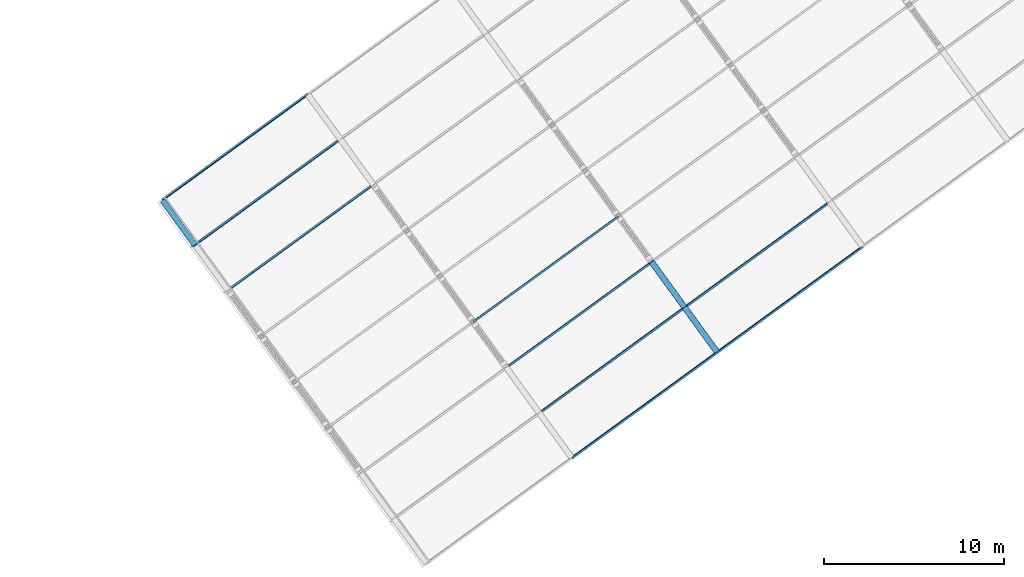
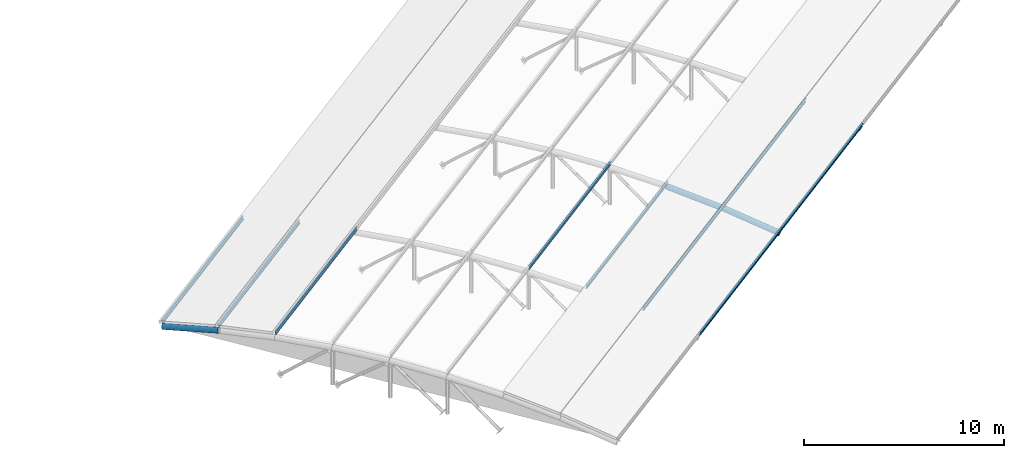
# One storey, part 13 of 41: 9 beams, 3 members.
"""IFC4 building model written with IfcOpenShell, lengths in metres."""

import ifcopenshell
import ifcopenshell.guid

model = None  # the IFC model being written
_history = None  # IfcOwnerHistory: only IFC2X3 demands one
_inside = {}  # id of a spatial element -> (the spatial element, [elements in it])
_under = {}  # id of a project, library or spatial element -> (it, [spatial elements below it])
_declared = {}  # id of a project -> (the project, [libraries it declares])
_typed = {}  # id of a type object -> (the type object, [elements of that type])
_made_of = {}  # id of a material, layer set ... -> (it, [elements and type objects made of it])


def new_model(schema):
    """Start an empty IFC model of exactly this schema.

    Asked for "IFC4X3", IfcOpenShell would pick the latest addendum, in which some entities
    have other attributes; the version numbers below select the first issue.
    IFC2X3 requires an IfcOwnerHistory on every rooted entity: one is made here for all.
    """
    global model, _history
    if schema == "IFC4X3":
        model = ifcopenshell.file(schema_version=(4, 3, 0, 0))
    else:
        model = ifcopenshell.file(schema=schema)
    _inside.clear()
    _under.clear()
    _declared.clear()
    _typed.clear()
    _made_of.clear()
    _history = None
    if model.schema == "IFC2X3":
        org = make("IfcOrganization", Name="unknown")
        user = make(
            "IfcPersonAndOrganization",
            ThePerson=make("IfcPerson", FamilyName="unknown"),
            TheOrganization=org,
        )
        app = make(
            "IfcApplication",
            ApplicationDeveloper=org,
            Version="unknown",
            ApplicationFullName="unknown",
            ApplicationIdentifier="unknown",
        )
        _history = make(
            "IfcOwnerHistory",
            OwningUser=user,
            OwningApplication=app,
            ChangeAction="ADDED",
            CreationDate=0,
        )
    return model


def make(cls, **values):
    """One entity of the class cls with the attributes given. An attribute that is None is left unset."""
    return model.create_entity(
        cls, **{name: value for name, value in values.items() if value is not None}
    )


def rooted(cls, **values):
    """An entity with a GlobalId (a new one), such as an element, a storey or a relation."""
    return make(cls, GlobalId=ifcopenshell.guid.new(), OwnerHistory=_history, **values)


def si_unit(unit_type, name, prefix=None):
    """IfcSIUnit, for example si_unit("LENGTHUNIT", "METRE", prefix="MILLI")."""
    return make("IfcSIUnit", UnitType=unit_type, Prefix=prefix, Name=name)


def assignment(units):
    """IfcUnitAssignment: the units of a project."""
    return None if units is None else make("IfcUnitAssignment", Units=units)


def point(xyz):
    """IfcCartesianPoint."""
    return None if xyz is None else make("IfcCartesianPoint", Coordinates=xyz)


def direction(xyz):
    """IfcDirection."""
    return None if xyz is None else make("IfcDirection", DirectionRatios=xyz)


def frame(location, z_axis=None, x_axis=None):
    """IfcAxis2Placement3D, a coordinate frame: its origin and axes. An axis left out is left unset."""
    return make(
        "IfcAxis2Placement3D",
        Location=point(location),
        Axis=direction(z_axis),
        RefDirection=direction(x_axis),
    )


def frame_2d(location, x_axis=None):
    """IfcAxis2Placement2D, a coordinate frame in the plane: its origin and x axis."""
    return make(
        "IfcAxis2Placement2D", Location=point(location), RefDirection=direction(x_axis)
    )


def origin():
    """The frame at (0, 0, 0) with its axes left unset."""
    return frame((0.0, 0.0, 0.0))


def origin_2d():
    """The frame at (0, 0) in the plane with its x axis left unset."""
    return frame_2d((0.0, 0.0))


def place(relative_to, where):
    """IfcLocalPlacement: puts the frame where relative to a parent placement (None: the world)."""
    return make(
        "IfcLocalPlacement", PlacementRelTo=relative_to, RelativePlacement=where
    )


def context(
    kind, dimensions, precision=None, world=None, true_north=None, identifier=None
):
    """IfcGeometricRepresentationContext, for example the 3D "Model" context."""
    return make(
        "IfcGeometricRepresentationContext",
        ContextIdentifier=identifier,
        ContextType=kind,
        CoordinateSpaceDimension=dimensions,
        Precision=precision,
        WorldCoordinateSystem=world,
        TrueNorth=true_north,
    )


def subcontext(parent, identifier, kind, view, scale=None):
    """IfcGeometricRepresentationSubContext, for example "Body" below "Model"."""
    return make(
        "IfcGeometricRepresentationSubContext",
        ContextIdentifier=identifier,
        ContextType=kind,
        ParentContext=parent,
        TargetScale=scale,
        TargetView=view,
    )


def project(units=None, contexts=None):
    """IfcProject with its units and contexts."""
    return rooted(
        "IfcProject",
        Name="project",
        RepresentationContexts=contexts,
        UnitsInContext=assignment(units),
    )


def spatial(cls, under=None, at=None, **own):
    """A site, building, storey or space (cls), placed at a placement, below another one or the project."""
    s = rooted(cls, ObjectPlacement=at, **own)
    if under is not None:
        _under.setdefault(under.id(), (under, []))[1].append(s)
    return s


def profile(cls, at=None, kind="AREA", **sizes):
    """A parametric profile (cls). Its sizes go by their IFC names, for example OverallWidth=200.0."""
    return make(cls, ProfileType=kind, Position=at, **sizes)


def hollow_circle(**sizes):
    """IfcCircleHollowProfileDef."""
    return profile("IfcCircleHollowProfileDef", **sizes)


def i_section(**sizes):
    """IfcIShapeProfileDef."""
    return profile("IfcIShapeProfileDef", **sizes)


def extrude(swept, where, along, depth):
    """IfcExtrudedAreaSolid: the profile swept, set in the frame where, extruded along a direction by depth."""
    return make(
        "IfcExtrudedAreaSolid",
        SweptArea=swept,
        Position=where,
        ExtrudedDirection=direction(along),
        Depth=depth,
    )


def shape(context_of_items, identifier, shape_type, items):
    """IfcShapeRepresentation: the items that make up one representation, for example the "Body"."""
    return make(
        "IfcShapeRepresentation",
        ContextOfItems=context_of_items,
        RepresentationIdentifier=identifier,
        RepresentationType=shape_type,
        Items=items,
    )


def material(Name=None, Category=None):
    """IfcMaterial."""
    return make("IfcMaterial", Name=Name, Category=Category)


def material_profile(
    of_material, cross_section, Name=None, Category=None, Priority=None
):
    """IfcMaterialProfile: a cross section and its material."""
    return make(
        "IfcMaterialProfile",
        Name=Name,
        Material=of_material,
        Profile=cross_section,
        Priority=Priority,
        Category=Category,
    )


def profile_set(profiles, Name=None, composite=None):
    """IfcMaterialProfileSet."""
    return make(
        "IfcMaterialProfileSet",
        Name=Name,
        MaterialProfiles=profiles,
        CompositeProfile=composite,
    )


def made_of(thing, what):
    """Note that an element or type object is made of a material, layer set ...; save() writes the relation."""
    if what is not None:
        _made_of.setdefault(what.id(), (what, []))[1].append(thing)
    return thing


def type_object(cls, material=None, **own):
    """A type object (cls), such as IfcWallType, which elements share."""
    return made_of(rooted(cls, **own), material)


def element(
    cls,
    number,
    at=None,
    inside=None,
    cuts=None,
    type_object=None,
    material=None,
    context=None,
    identifier="Body",
    shape_type=None,
    held_by="IfcProductDefinitionShape",
    body=None,
    shapes=None,
    **own,
):
    """One element of the class cls, such as IfcWall. Its Tag is "e" and its number.

    at: its placement. inside: the storey or other place that contains it. cuts: it is an
    opening in that element (IfcRelVoidsElement). A single representation is given by context,
    identifier, shape_type and body (its items); several are given by shapes. held_by: the class
    of the entity that holds the representations. save() writes the other relations.
    """
    e = rooted(cls, Tag="e%d" % number, ObjectPlacement=at, **own)
    if body is not None:
        shapes = [shape(context, identifier, shape_type, body)]
    if shapes is not None:
        e.Representation = make(held_by, Representations=shapes)
    if inside is not None:
        _inside.setdefault(inside.id(), (inside, []))[1].append(e)
    if cuts is not None:
        rooted(
            "IfcRelVoidsElement", RelatingBuildingElement=cuts, RelatedOpeningElement=e
        )
    if type_object is not None:
        _typed.setdefault(type_object.id(), (type_object, []))[1].append(e)
    return made_of(e, material)


def aggregate(whole, parts):
    """IfcRelAggregates: a whole, such as a stair, and the parts it consists of."""
    return rooted("IfcRelAggregates", RelatingObject=whole, RelatedObjects=parts)


def save(model, path):
    """Write the relations noted so far, then the file.

    IfcRelAggregates (storeys below a building ...), IfcRelContainedInSpatialStructure (elements
    in a storey), IfcRelDefinesByType, IfcRelAssociatesMaterial and IfcRelDeclares: one each for
    every whole, place, type object, material and project.
    """
    for whole, parts in _under.values():
        aggregate(whole, parts)
    for where, things in _inside.values():
        rooted(
            "IfcRelContainedInSpatialStructure",
            RelatedElements=things,
            RelatingStructure=where,
        )
    for kind, things in _typed.values():
        rooted("IfcRelDefinesByType", RelatedObjects=things, RelatingType=kind)
    for what, things in _made_of.values():
        rooted("IfcRelAssociatesMaterial", RelatedObjects=things, RelatingMaterial=what)
    for by, libraries in _declared.values():
        rooted("IfcRelDeclares", RelatingContext=by, RelatedDefinitions=libraries)
    model.write(path)


model = new_model("IFC4")

# Units and contexts
model_context = context("Model", 3, precision=1e-05, world=origin(), true_north=direction((0.0, 1.0)))
body_context = subcontext(model_context, "Body", "Model", "MODEL_VIEW")
ifc_project = project(units=[si_unit("LENGTHUNIT", "METRE"), si_unit("AREAUNIT", "SQUARE_METRE"), si_unit("VOLUMEUNIT", "CUBIC_METRE"), si_unit("PLANEANGLEUNIT", "RADIAN"), si_unit("MASSUNIT", "GRAM", prefix="KILO")], contexts=[model_context])

# Site, building, storey
site_placement = place(None, origin())
site = spatial("IfcSite", under=ifc_project, at=site_placement, CompositionType="ELEMENT")
building_placement = place(site_placement, origin())
building = spatial("IfcBuilding", under=site, at=building_placement, Name="Okhra Congress Centre", CompositionType="ELEMENT")
storey_placement = place(building_placement, frame((0.0, 0.0, 21.60009765625)))
storey = spatial("IfcBuildingStorey", under=building, at=storey_placement, Name="ROOF", CompositionType="ELEMENT", Elevation=21.60009765625)

# Members
ifc_material_1 = material(Name="Steel S355J2H", Category="steel")
ifc_material_profile_1 = material_profile(ifc_material_1, hollow_circle(Radius=0.161865234375, WallThickness=0.012451171875, at=origin_2d()), Name="CHS 323.9x12.5")
ifc_profile_set_1 = profile_set([ifc_material_profile_1], Name="Steel S355J2H")
member_type = type_object("IfcMemberType", Name="CHS 323.9x12.5", PredefinedType="CHORD", material=ifc_profile_set_1)
for number, where, z_axis, x_axis, name in (
    (1, (208.4287109375, 185.53857421875, 0.6640625), (-0.575681616785, 0.792290860201, -0.202153082929), (-0.808993389874, -0.587817739729, 0.0), "Truss 1 top chord 13"),
    (2, (237.4404296875, 179.633056640625, 0.029052734375), (-0.575629649566, 0.792326309435, 0.202162127805), (-0.80903112876, -0.587765797488, 0.0), "Truss 3 top chord 6"),
    (3, (235.63232421875, 182.121826171875, 0.6640625), (-0.581594707866, 0.800460229362, 0.144951774712), (-0.809004349852, -0.587802655592, 0.0), "Truss 3 top chord 7"),
):
    element("IfcMember", number, at=place(storey_placement, frame(where, z_axis=z_axis, x_axis=x_axis)), inside=storey, type_object=member_type, Name=name, PredefinedType="CHORD", context=body_context, shape_type="SweptSolid", body=[
        extrude(hollow_circle(Radius=0.161865234375, WallThickness=0.012451171875, at=origin_2d()), origin(), (0.0, 0.0, 1.0), 3.14111328125),
    ])

# Beams
ifc_material_2 = material(Name="Steel S355J2", Category="steel")
ifc_material_profile_2 = material_profile(ifc_material_2, i_section(OverallWidth=0.10009765625, OverallDepth=0.199951171875, WebThickness=0.005615234375, FlangeThickness=0.008544921875, FilletRadius=0.011962890625, at=origin_2d()), Name="IPE 200")
ifc_profile_set_2 = profile_set([ifc_material_profile_2], Name="Steel S355J2")
beam_type = type_object("IfcBeamType", Name="IPE 200", PredefinedType="BEAM", material=ifc_profile_set_2)
beam_1_placement = place(storey_placement, frame((229.385498046875, 173.70703125, 0.281005859375), z_axis=(0.809022099746, 0.587778225288, 0.0), x_axis=(-0.571934587156, 0.787214804344, 0.230615870737)))
element("IfcBeam", 4, at=beam_1_placement, inside=storey, type_object=beam_type, Name="Purlin 6.32", PredefinedType="BEAM", context=body_context, shape_type="SweptSolid", body=[
    extrude(i_section(OverallWidth=0.10009765625, OverallDepth=0.199951171875, WebThickness=0.005615234375, FlangeThickness=0.008544921875, FilletRadius=0.011962890625, at=origin_2d()), origin(), (0.0, 0.0, 1.0), 9.999755859375),
])
beam_2_placement = place(storey_placement, frame((237.4755859375, 179.584716796875, 0.281005859375), z_axis=(0.809010490052, 0.58779420462, 0.0), x_axis=(-0.571950135763, 0.787203507592, 0.230615870737)))
element("IfcBeam", 5, at=beam_2_placement, inside=storey, type_object=beam_type, Name="Purlin 6.33", PredefinedType="BEAM", context=body_context, shape_type="SweptSolid", body=[
    extrude(i_section(OverallWidth=0.10009765625, OverallDepth=0.199951171875, WebThickness=0.005615234375, FlangeThickness=0.008544921875, FilletRadius=0.011962890625, at=origin_2d()), origin(), (0.0, 0.0, 1.0), 10.0),
])
beam_3_placement = place(storey_placement, frame((227.568603515625, 176.207763671875, 0.919189453125), z_axis=(0.809022099746, 0.587778225288, 0.0), x_axis=(-0.578848553316, 0.796731236188, 0.173648177667)))
element("IfcBeam", 6, at=beam_3_placement, inside=storey, type_object=beam_type, Name="Purlin 7.38", PredefinedType="BEAM", context=body_context, shape_type="SweptSolid", body=[
    extrude(i_section(OverallWidth=0.10009765625, OverallDepth=0.199951171875, WebThickness=0.005615234375, FlangeThickness=0.008544921875, FilletRadius=0.011962890625, at=origin_2d()), origin(), (0.0, 0.0, 1.0), 9.999755859375),
])
beam_4_placement = place(storey_placement, frame((235.65869140625, 182.08544921875, 0.919189453125), z_axis=(0.809010490052, 0.58779420462, 0.0), x_axis=(-0.578864289886, 0.796719802872, 0.173648177667)))
element("IfcBeam", 7, at=beam_4_placement, inside=storey, type_object=beam_type, Name="Purlin 7.39", PredefinedType="BEAM", context=body_context, shape_type="SweptSolid", body=[
    extrude(i_section(OverallWidth=0.10009765625, OverallDepth=0.199951171875, WebThickness=0.005615234375, FlangeThickness=0.008544921875, FilletRadius=0.011962890625, at=origin_2d()), origin(), (0.0, 0.0, 1.0), 10.0),
])
for number, where, z_axis, x_axis, name in (
    (8, (225.73291015625, 178.734130859375, 1.376708984375), (0.809018924928, 0.587782595105, 0.0), (-0.583808219471, 0.803548628377, 0.116092914131), "Purlin 8.44"),
    (9, (223.884765625, 181.27783203125, 1.651611328125), (0.809018924928, 0.587782595105, 0.0), (-0.586788159983, 0.807650192952, 0.058144828905), "Purlin 9.50"),
):
    element("IfcBeam", number, at=place(storey_placement, frame(where, z_axis=z_axis, x_axis=x_axis)), inside=storey, type_object=beam_type, Name=name, PredefinedType="BEAM", context=body_context, shape_type="SweptSolid", body=[
        extrude(i_section(OverallWidth=0.10009765625, OverallDepth=0.199951171875, WebThickness=0.005615234375, FlangeThickness=0.008544921875, FilletRadius=0.011962890625, at=origin_2d()), origin(), (0.0, 0.0, 1.0), 10.000244140625),
    ])
for number, where, z_axis, x_axis, name in (
    (10, (210.23779296875, 183.04833984375, 1.376708984375), (0.809010490052, 0.58779420462, 0.0), (-0.583819750487, 0.803540250535, -0.116092914131), "Purlin 12.67"),
    (11, (208.402099609375, 185.574951171875, 0.919189453125), (0.809030534284, 0.587766615755, 0.0), (-0.578837120157, 0.796739542587, -0.173648177667), "Purlin 13.73"),
    (12, (206.58544921875, 188.075439453125, 0.281005859375), (0.809010490052, 0.58779420462, 0.0), (-0.571950135763, 0.787203507592, -0.230615870737), "Purlin 14.79"),
):
    element("IfcBeam", number, at=place(storey_placement, frame(where, z_axis=z_axis, x_axis=x_axis)), inside=storey, type_object=beam_type, Name=name, PredefinedType="BEAM", context=body_context, shape_type="SweptSolid", body=[
        extrude(i_section(OverallWidth=0.10009765625, OverallDepth=0.199951171875, WebThickness=0.005615234375, FlangeThickness=0.008544921875, FilletRadius=0.011962890625, at=origin_2d()), origin(), (0.0, 0.0, 1.0), 10.0),
    ])

save(model, "model.ifc")
